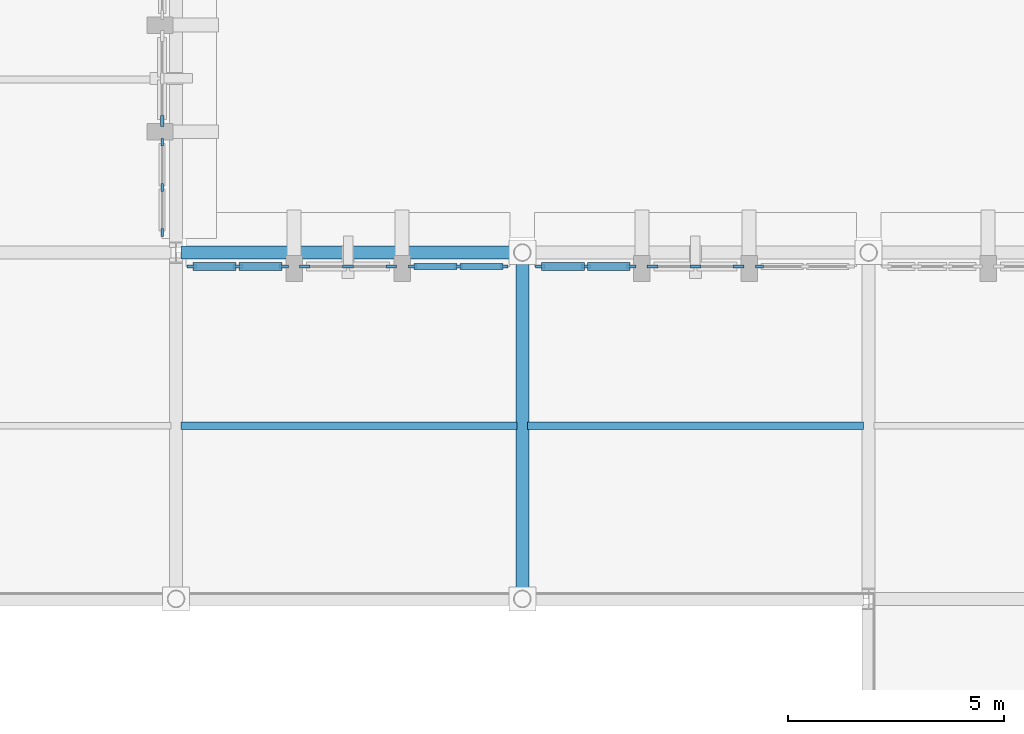
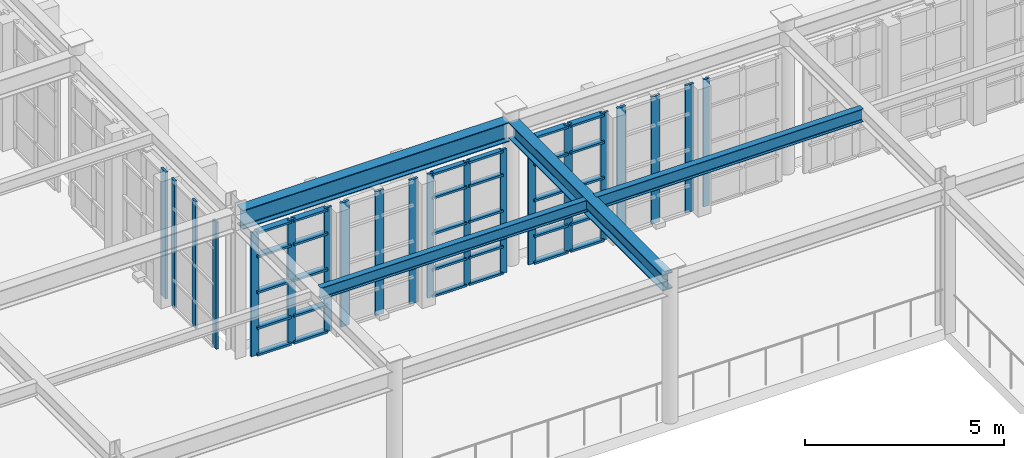
# One storey, part 44 of 155: 50 members, 4 beams, 8 elements without a shape of their own.
"""IFC4 building model written with IfcOpenShell, lengths in metres."""

from ifc_helpers import new_model, si_unit, direction, frame, origin, origin_2d, place, context, subcontext, project, spatial, rectangle, i_section, extrude, material, layer, layer_set, material_profile, profile_set, type_object, element, aggregate, save


model = new_model("IFC4")

# Units and contexts
model_context = context("Model", 3, precision=1e-05, world=origin(), true_north=direction((0.0, 1.0)))
body_context = subcontext(model_context, "Body", "Model", "MODEL_VIEW")
ifc_project = project(units=[si_unit("LENGTHUNIT", "METRE"), si_unit("AREAUNIT", "SQUARE_METRE"), si_unit("VOLUMEUNIT", "CUBIC_METRE"), si_unit("PLANEANGLEUNIT", "RADIAN"), si_unit("MASSUNIT", "GRAM", prefix="KILO")], contexts=[model_context])

# Site, building, storey
site_placement = place(None, origin())
site = spatial("IfcSite", under=ifc_project, at=site_placement, CompositionType="ELEMENT")
building_placement = place(site_placement, origin())
building = spatial("IfcBuilding", under=site, at=building_placement, Name="Tazarka Park Arena", CompositionType="ELEMENT")
storey_placement = place(building_placement, frame((0.0, 0.0, 5.39990234375)))
storey = spatial("IfcBuildingStorey", under=building, at=storey_placement, Name="L01", CompositionType="ELEMENT", Elevation=5.39990234375)

# Beams
ifc_material_1 = material(Name="Steel S355", Category="steel")
ifc_material_profile_1 = material_profile(ifc_material_1, i_section(OverallWidth=0.300048828125, OverallDepth=0.590087890625, WebThickness=0.012939453125, FlangeThickness=0.02490234375, FilletRadius=0.027099609375, at=origin_2d()), Name="Steel S355")
ifc_profile_set_1 = profile_set([ifc_material_profile_1], Name="Steel S355")
beam_type_1 = type_object("IfcBeamType", Name="BM-B-07", PredefinedType="BEAM", material=ifc_profile_set_1)
beam_1_placement = place(storey_placement, frame((160.1201171875, 104.0, 4.125), z_axis=(1.0, 0.0, 0.0), x_axis=(0.0, 1.0, 0.0)))
element("IfcBeam", 1, at=beam_1_placement, inside=storey, type_object=beam_type_1, Name="GXM-L01-20-13", PredefinedType="BEAM", context=body_context, shape_type="SweptSolid", body=[
    extrude(i_section(OverallWidth=0.300048828125, OverallDepth=0.590087890625, WebThickness=0.012939453125, FlangeThickness=0.02490234375, FilletRadius=0.027099609375, at=origin_2d()), origin(), (0.0, 0.0, 1.0), 7.759765625),
])
ifc_material_2 = material(Name="Steel S355", Category="steel")
ifc_material_profile_2 = material_profile(ifc_material_2, i_section(OverallWidth=0.300048828125, OverallDepth=0.5, WebThickness=0.014404296875, FlangeThickness=0.028076171875, FilletRadius=0.027099609375, at=origin_2d()), Name="Steel S355")
ifc_profile_set_2 = profile_set([ifc_material_profile_2], Name="Steel S355")
beam_type_2 = type_object("IfcBeamType", Name="BM-B-08", PredefinedType="BEAM", material=ifc_profile_set_2)
beam_2_placement = place(storey_placement, frame((168.0, 96.1201171875, 4.170166015625), z_axis=(0.0, 1.0, 0.0), x_axis=(-1.0, 0.0, 0.0)))
element("IfcBeam", 2, at=beam_2_placement, inside=storey, type_object=beam_type_2, Name="GYM-L01-21-12", PredefinedType="BEAM", context=body_context, shape_type="SweptSolid", body=[
    extrude(i_section(OverallWidth=0.300048828125, OverallDepth=0.5, WebThickness=0.014404296875, FlangeThickness=0.028076171875, FilletRadius=0.027099609375, at=origin_2d()), origin(), (0.0, 0.0, 1.0), 7.759765625),
])
ifc_material_3 = material(Name="Steel S355", Category="steel")
ifc_material_profile_3 = material_profile(ifc_material_3, i_section(OverallWidth=0.169921875, OverallDepth=0.360107421875, WebThickness=0.008056640625, FlangeThickness=0.0126953125, FilletRadius=0.01806640625, at=origin_2d()), Name="Steel S355")
ifc_profile_set_3 = profile_set([ifc_material_profile_3], Name="Steel S355")
beam_type_3 = type_object("IfcBeamType", Name="BM-J-02", PredefinedType="JOIST", material=ifc_profile_set_3)
beam_3_placement = place(storey_placement, frame((160.1201171875, 100.0, 4.239990234375), z_axis=(1.0, 0.0, 0.0), x_axis=(0.0, 1.0, 0.0)))
element("IfcBeam", 3, at=beam_3_placement, inside=storey, type_object=beam_type_3, Name="JST-L01-20-12", PredefinedType="JOIST", context=body_context, shape_type="SweptSolid", body=[
    extrude(i_section(OverallWidth=0.169921875, OverallDepth=0.360107421875, WebThickness=0.008056640625, FlangeThickness=0.0126953125, FilletRadius=0.01806640625, at=origin_2d()), origin(), (0.0, 0.0, 1.0), 7.759765625),
])
ifc_material_4 = material(Name="Steel S355", Category="steel")
ifc_material_profile_4 = material_profile(ifc_material_4, i_section(OverallWidth=0.179931640625, OverallDepth=0.39990234375, WebThickness=0.008544921875, FlangeThickness=0.013427734375, FilletRadius=0.02099609375, at=origin_2d()), Name="Steel S355")
ifc_profile_set_4 = profile_set([ifc_material_profile_4], Name="Steel S355")
beam_type_4 = type_object("IfcBeamType", Name="BM-J-03", PredefinedType="JOIST", material=ifc_profile_set_4)
beam_4_placement = place(storey_placement, frame((168.1201171875, 100.0, 4.22021484375), z_axis=(1.0, 0.0, 0.0), x_axis=(0.0, 1.0, 0.0)))
element("IfcBeam", 4, at=beam_4_placement, inside=storey, type_object=beam_type_4, Name="JST-L01-21-12", PredefinedType="JOIST", context=body_context, shape_type="SweptSolid", body=[
    extrude(i_section(OverallWidth=0.179931640625, OverallDepth=0.39990234375, WebThickness=0.008544921875, FlangeThickness=0.013427734375, FilletRadius=0.02099609375, at=origin_2d()), origin(), (0.0, 0.0, 1.0), 7.759765625),
])

# Curtain wall, member
ifc_material_5 = material(Name="Aluminium and low-e glass", Category="aluminium")
ifc_layer_1 = layer(ifc_material_5, 0.179931640625, Name="Aluminium and low-e glass")
ifc_layer_set_1 = layer_set([ifc_layer_1], Name="Aluminium and low-e glass")
curtain_wall_type_1 = type_object("IfcCurtainWallType", Name="CW-15", PredefinedType="NOTDEFINED", material=ifc_layer_set_1)
curtain_wall_1_placement = place(storey_placement, origin())
curtain_wall_1 = element("IfcCurtainWall", 5, at=curtain_wall_1_placement, inside=storey, type_object=curtain_wall_type_1, Name="Curtain Wall CWA-L01-195", PredefinedType="NOTDEFINED")
ifc_material_6 = material(Name="Aluminium 6060-T66", Category="aluminium")
ifc_material_profile_5 = material_profile(ifc_material_6, rectangle(XDim=0.06494140625, YDim=0.179931640625, at=origin_2d()), Name="Aluminium 6060-T66")
ifc_profile_set_5 = profile_set([ifc_material_profile_5], Name="Aluminium 6060-T66")
member_type_1 = type_object("IfcMemberType", Name="CWM-01", PredefinedType="MULLION", material=ifc_profile_set_5)
member_1_placement = place(storey_placement, frame((173.4814453125, 103.679931640625, 0.0), z_axis=(0.0, 0.0, 1.0), x_axis=(0.0, 1.0, 0.0)))
member_1 = element("IfcMember", 6, at=member_1_placement, type_object=member_type_1, Name="CW-15 mullion 1", PredefinedType="MULLION", context=body_context, shape_type="SweptSolid", body=[
    extrude(rectangle(XDim=0.06494140625, YDim=0.179931640625, at=origin_2d()), origin(), (0.0, 0.0, 1.0), 3.91015625),
])
aggregate(curtain_wall_1, [member_1])

# Curtain wall, members
ifc_material_7 = material(Name="Aluminium and low-e glass", Category="aluminium")
ifc_layer_2 = layer(ifc_material_7, 0.179931640625, Name="Aluminium and low-e glass")
ifc_layer_set_2 = layer_set([ifc_layer_2], Name="Aluminium and low-e glass")
curtain_wall_type_2 = type_object("IfcCurtainWallType", Name="CW-18", PredefinedType="NOTDEFINED", material=ifc_layer_set_2)
curtain_wall_2_placement = place(storey_placement, origin())
curtain_wall_2 = element("IfcCurtainWall", 7, at=curtain_wall_2_placement, inside=storey, type_object=curtain_wall_type_2, Name="Curtain Wall CWA-L01-198", PredefinedType="NOTDEFINED")
member_2_placement = place(storey_placement, frame((165.463623046875, 103.679931640625, 0.0), z_axis=(0.0, 0.0, 1.0), x_axis=(0.0, 1.0, 0.0)))
member_2 = element("IfcMember", 8, at=member_2_placement, type_object=member_type_1, Name="CW-18 mullion 1", PredefinedType="MULLION", context=body_context, shape_type="SweptSolid", body=[
    extrude(rectangle(XDim=0.06494140625, YDim=0.179931640625, at=origin_2d()), origin(), (0.0, 0.0, 1.0), 3.81005859375),
])
member_3_placement = place(storey_placement, frame((166.52392578125, 103.679931640625, 0.0), z_axis=(0.0, 0.0, 1.0), x_axis=(0.0, 1.0, 0.0)))
member_3 = element("IfcMember", 9, at=member_3_placement, type_object=member_type_1, Name="CW-18 mullion 2", PredefinedType="MULLION", context=body_context, shape_type="SweptSolid", body=[
    extrude(rectangle(XDim=0.06494140625, YDim=0.179931640625, at=origin_2d()), origin(), (0.0, 0.0, 1.0), 3.81005859375),
])
member_4_placement = place(storey_placement, frame((167.584228515625, 103.679931640625, 0.0), z_axis=(0.0, 0.0, 1.0), x_axis=(0.0, 1.0, 0.0)))
member_4 = element("IfcMember", 10, at=member_4_placement, type_object=member_type_1, Name="CW-18 mullion 3", PredefinedType="MULLION", context=body_context, shape_type="SweptSolid", body=[
    extrude(rectangle(XDim=0.06494140625, YDim=0.179931640625, at=origin_2d()), origin(), (0.0, 0.0, 1.0), 3.81005859375),
])

ifc_material_8 = material(Name="Aluminium and low-e glass", Category="aluminium")
ifc_layer_3 = layer(ifc_material_8, 0.179931640625, Name="Aluminium and low-e glass")
ifc_layer_set_3 = layer_set([ifc_layer_3], Name="Aluminium and low-e glass")
curtain_wall_type_3 = type_object("IfcCurtainWallType", Name="CW-21", PredefinedType="NOTDEFINED", material=ifc_layer_set_3)
curtain_wall_3_placement = place(storey_placement, origin())
curtain_wall_3 = element("IfcCurtainWall", 11, at=curtain_wall_3_placement, inside=storey, type_object=curtain_wall_type_3, Name="Curtain Wall CWA-L01-201", PredefinedType="NOTDEFINED")
member_5_placement = place(storey_placement, frame((159.679931640625, 106.5498046875, 0.0), z_axis=(0.0, 0.0, 1.0), x_axis=(1.0, 0.0, 0.0)))
member_5 = element("IfcMember", 12, at=member_5_placement, type_object=member_type_1, Name="CW-21 mullion 1", PredefinedType="MULLION", context=body_context, shape_type="SweptSolid", body=[
    extrude(rectangle(XDim=0.06494140625, YDim=0.179931640625, at=origin_2d()), origin(), (0.0, 0.0, 1.0), 3.900146484375),
])
member_6_placement = place(storey_placement, frame((159.679931640625, 105.506103515625, 0.0), z_axis=(0.0, 0.0, 1.0), x_axis=(1.0, 0.0, 0.0)))
member_6 = element("IfcMember", 13, at=member_6_placement, type_object=member_type_1, Name="CW-21 mullion 2", PredefinedType="MULLION", context=body_context, shape_type="SweptSolid", body=[
    extrude(rectangle(XDim=0.06494140625, YDim=0.179931640625, at=origin_2d()), origin(), (0.0, 0.0, 1.0), 3.900146484375),
])
member_7_placement = place(storey_placement, frame((159.679931640625, 104.46240234375, 0.0), z_axis=(0.0, 0.0, 1.0), x_axis=(1.0, 0.0, 0.0)))
member_7 = element("IfcMember", 14, at=member_7_placement, type_object=member_type_1, Name="CW-21 mullion 3", PredefinedType="MULLION", context=body_context, shape_type="SweptSolid", body=[
    extrude(rectangle(XDim=0.06494140625, YDim=0.179931640625, at=origin_2d()), origin(), (0.0, 0.0, 1.0), 3.900146484375),
])
aggregate(curtain_wall_3, [member_5, member_6, member_7])

ifc_material_9 = material(Name="Aluminium and low-e glass", Category="aluminium")
ifc_layer_4 = layer(ifc_material_9, 0.179931640625, Name="Aluminium and low-e glass")
ifc_layer_set_4 = layer_set([ifc_layer_4], Name="Aluminium and low-e glass")
curtain_wall_type_4 = type_object("IfcCurtainWallType", Name="CW-13", PredefinedType="NOTDEFINED", material=ifc_layer_set_4)
curtain_wall_4_placement = place(storey_placement, origin())
curtain_wall_4 = element("IfcCurtainWall", 15, at=curtain_wall_4_placement, inside=storey, type_object=curtain_wall_type_4, Name="Curtain Wall CWA-L01-193", PredefinedType="NOTDEFINED")
ifc_material_10 = material(Name="Aluminium 6060-T66", Category="aluminium")
ifc_material_profile_6 = material_profile(ifc_material_10, rectangle(XDim=0.06494140625, YDim=0.219970703125, at=origin_2d()), Name="Aluminium 6060-T66")
ifc_profile_set_6 = profile_set([ifc_material_profile_6], Name="Aluminium 6060-T66")
member_type_2 = type_object("IfcMemberType", Name="CWM-02", PredefinedType="MULLION", material=ifc_profile_set_6)
member_8_placement = place(storey_placement, frame((168.415771484375, 103.679931640625, 0.0), z_axis=(0.0, 0.0, 1.0), x_axis=(0.0, 1.0, 0.0)))
member_8 = element("IfcMember", 16, at=member_8_placement, type_object=member_type_2, Name="CW-13 mullion 1", PredefinedType="MULLION", context=body_context, shape_type="SweptSolid", body=[
    extrude(rectangle(XDim=0.06494140625, YDim=0.219970703125, at=origin_2d()), origin(), (0.0, 0.0, 1.0), 3.91015625),
])
member_9_placement = place(storey_placement, frame((169.467041015625, 103.679931640625, 0.0), z_axis=(0.0, 0.0, 1.0), x_axis=(0.0, 1.0, 0.0)))
member_9 = element("IfcMember", 17, at=member_9_placement, type_object=member_type_2, Name="CW-13 mullion 2", PredefinedType="MULLION", context=body_context, shape_type="SweptSolid", body=[
    extrude(rectangle(XDim=0.06494140625, YDim=0.219970703125, at=origin_2d()), origin(), (0.0, 0.0, 1.0), 3.91015625),
])
member_10_placement = place(storey_placement, frame((170.5185546875, 103.679931640625, 0.0), z_axis=(0.0, 0.0, 1.0), x_axis=(0.0, 1.0, 0.0)))
member_10 = element("IfcMember", 18, at=member_10_placement, type_object=member_type_2, Name="CW-13 mullion 3", PredefinedType="MULLION", context=body_context, shape_type="SweptSolid", body=[
    extrude(rectangle(XDim=0.06494140625, YDim=0.219970703125, at=origin_2d()), origin(), (0.0, 0.0, 1.0), 3.91015625),
])

ifc_material_11 = material(Name="Aluminium and low-e glass", Category="aluminium")
ifc_layer_5 = layer(ifc_material_11, 0.179931640625, Name="Aluminium and low-e glass")
ifc_layer_set_5 = layer_set([ifc_layer_5], Name="Aluminium and low-e glass")
curtain_wall_type_5 = type_object("IfcCurtainWallType", Name="CW-16", PredefinedType="NOTDEFINED", material=ifc_layer_set_5)
curtain_wall_5_placement = place(storey_placement, origin())
curtain_wall_5 = element("IfcCurtainWall", 19, at=curtain_wall_5_placement, inside=storey, type_object=curtain_wall_type_5, Name="Curtain Wall CWA-L01-196", PredefinedType="NOTDEFINED")
member_11_placement = place(storey_placement, frame((160.362548828125, 103.679931640625, 0.0), z_axis=(0.0, 0.0, 1.0), x_axis=(0.0, 1.0, 0.0)))
member_11 = element("IfcMember", 20, at=member_11_placement, type_object=member_type_2, Name="CW-16 mullion 1", PredefinedType="MULLION", context=body_context, shape_type="SweptSolid", body=[
    extrude(rectangle(XDim=0.06494140625, YDim=0.219970703125, at=origin_2d()), origin(), (0.0, 0.0, 1.0), 3.81005859375),
])
member_12_placement = place(storey_placement, frame((161.4228515625, 103.679931640625, 0.0), z_axis=(0.0, 0.0, 1.0), x_axis=(0.0, 1.0, 0.0)))
member_12 = element("IfcMember", 21, at=member_12_placement, type_object=member_type_2, Name="CW-16 mullion 2", PredefinedType="MULLION", context=body_context, shape_type="SweptSolid", body=[
    extrude(rectangle(XDim=0.06494140625, YDim=0.219970703125, at=origin_2d()), origin(), (0.0, 0.0, 1.0), 3.81005859375),
])
member_13_placement = place(storey_placement, frame((162.483154296875, 103.679931640625, 0.0), z_axis=(0.0, 0.0, 1.0), x_axis=(0.0, 1.0, 0.0)))
member_13 = element("IfcMember", 22, at=member_13_placement, type_object=member_type_2, Name="CW-16 mullion 3", PredefinedType="MULLION", context=body_context, shape_type="SweptSolid", body=[
    extrude(rectangle(XDim=0.06494140625, YDim=0.219970703125, at=origin_2d()), origin(), (0.0, 0.0, 1.0), 3.81005859375),
])

ifc_material_12 = material(Name="Aluminium and low-e glass", Category="aluminium")
ifc_layer_6 = layer(ifc_material_12, 0.179931640625, Name="Aluminium and low-e glass")
ifc_layer_set_6 = layer_set([ifc_layer_6], Name="Aluminium and low-e glass")
curtain_wall_type_6 = type_object("IfcCurtainWallType", Name="CW-14", PredefinedType="NOTDEFINED", material=ifc_layer_set_6)
curtain_wall_6_placement = place(storey_placement, origin())
curtain_wall_6 = element("IfcCurtainWall", 23, at=curtain_wall_6_placement, inside=storey, type_object=curtain_wall_type_6, Name="Curtain Wall CWA-L01-194", PredefinedType="NOTDEFINED")
ifc_material_13 = material(Name="Aluminium 6060-T66", Category="aluminium")
ifc_material_profile_7 = material_profile(ifc_material_13, rectangle(XDim=0.074951171875, YDim=0.25, at=origin_2d()), Name="Aluminium 6060-T66")
ifc_profile_set_7 = profile_set([ifc_material_profile_7], Name="Aluminium 6060-T66")
member_type_3 = type_object("IfcMemberType", Name="CWM-03", PredefinedType="MULLION", material=ifc_profile_set_7)
member_14_placement = place(storey_placement, frame((171.008544921875, 103.679931640625, 0.0), z_axis=(0.0, 0.0, 1.0), x_axis=(0.0, 1.0, 0.0)))
member_14 = element("IfcMember", 24, at=member_14_placement, type_object=member_type_3, Name="CW-14 mullion 1", PredefinedType="MULLION", context=body_context, shape_type="SweptSolid", body=[
    extrude(rectangle(XDim=0.074951171875, YDim=0.25, at=origin_2d()), origin(), (0.0, 0.0, 1.0), 3.91015625),
])
member_15_placement = place(storey_placement, frame((172.0, 103.679931640625, 0.0), z_axis=(0.0, 0.0, 1.0), x_axis=(0.0, 1.0, 0.0)))
member_15 = element("IfcMember", 25, at=member_15_placement, type_object=member_type_3, Name="CW-14 mullion 2", PredefinedType="MULLION", context=body_context, shape_type="SweptSolid", body=[
    extrude(rectangle(XDim=0.074951171875, YDim=0.25, at=origin_2d()), origin(), (0.0, 0.0, 1.0), 3.91015625),
])
member_16_placement = place(storey_placement, frame((172.991455078125, 103.679931640625, 0.0), z_axis=(0.0, 0.0, 1.0), x_axis=(0.0, 1.0, 0.0)))
member_16 = element("IfcMember", 26, at=member_16_placement, type_object=member_type_3, Name="CW-14 mullion 3", PredefinedType="MULLION", context=body_context, shape_type="SweptSolid", body=[
    extrude(rectangle(XDim=0.074951171875, YDim=0.25, at=origin_2d()), origin(), (0.0, 0.0, 1.0), 3.91015625),
])
aggregate(curtain_wall_6, [member_14, member_15, member_16])

ifc_material_14 = material(Name="Aluminium and low-e glass", Category="aluminium")
ifc_layer_7 = layer(ifc_material_14, 0.179931640625, Name="Aluminium and low-e glass")
ifc_layer_set_7 = layer_set([ifc_layer_7], Name="Aluminium and low-e glass")
curtain_wall_type_7 = type_object("IfcCurtainWallType", Name="CW-17", PredefinedType="NOTDEFINED", material=ifc_layer_set_7)
curtain_wall_7_placement = place(storey_placement, origin())
curtain_wall_7 = element("IfcCurtainWall", 27, at=curtain_wall_7_placement, inside=storey, type_object=curtain_wall_type_7, Name="Curtain Wall CWA-L01-197", PredefinedType="NOTDEFINED")
member_17_placement = place(storey_placement, frame((162.97314453125, 103.679931640625, 0.0), z_axis=(0.0, 0.0, 1.0), x_axis=(0.0, 1.0, 0.0)))
member_17 = element("IfcMember", 28, at=member_17_placement, type_object=member_type_3, Name="CW-17 mullion 1", PredefinedType="MULLION", context=body_context, shape_type="SweptSolid", body=[
    extrude(rectangle(XDim=0.074951171875, YDim=0.25, at=origin_2d()), origin(), (0.0, 0.0, 1.0), 3.81005859375),
])
member_18_placement = place(storey_placement, frame((163.973388671875, 103.679931640625, 0.0), z_axis=(0.0, 0.0, 1.0), x_axis=(0.0, 1.0, 0.0)))
member_18 = element("IfcMember", 29, at=member_18_placement, type_object=member_type_3, Name="CW-17 mullion 2", PredefinedType="MULLION", context=body_context, shape_type="SweptSolid", body=[
    extrude(rectangle(XDim=0.074951171875, YDim=0.25, at=origin_2d()), origin(), (0.0, 0.0, 1.0), 3.81005859375),
])
member_19_placement = place(storey_placement, frame((164.9736328125, 103.679931640625, 0.0), z_axis=(0.0, 0.0, 1.0), x_axis=(0.0, 1.0, 0.0)))
member_19 = element("IfcMember", 30, at=member_19_placement, type_object=member_type_3, Name="CW-17 mullion 3", PredefinedType="MULLION", context=body_context, shape_type="SweptSolid", body=[
    extrude(rectangle(XDim=0.074951171875, YDim=0.25, at=origin_2d()), origin(), (0.0, 0.0, 1.0), 3.81005859375),
])
aggregate(curtain_wall_7, [member_17, member_18, member_19])

# Curtain wall, member
ifc_material_15 = material(Name="Aluminium and low-e glass", Category="aluminium")
ifc_layer_8 = layer(ifc_material_15, 0.179931640625, Name="Aluminium and low-e glass")
ifc_layer_set_8 = layer_set([ifc_layer_8], Name="Aluminium and low-e glass")
curtain_wall_type_8 = type_object("IfcCurtainWallType", Name="CW-20", PredefinedType="NOTDEFINED", material=ifc_layer_set_8)
curtain_wall_8_placement = place(storey_placement, origin())
curtain_wall_8 = element("IfcCurtainWall", 31, at=curtain_wall_8_placement, inside=storey, type_object=curtain_wall_type_8, Name="Curtain Wall CWA-L01-200", PredefinedType="NOTDEFINED")
member_20_placement = place(storey_placement, frame((159.679931640625, 107.039794921875, 0.0), z_axis=(0.0, 0.0, 1.0), x_axis=(1.0, 0.0, 0.0)))
member_20 = element("IfcMember", 32, at=member_20_placement, type_object=member_type_3, Name="CW-20 mullion 3", PredefinedType="MULLION", context=body_context, shape_type="SweptSolid", body=[
    extrude(rectangle(XDim=0.074951171875, YDim=0.25, at=origin_2d()), origin(), (0.0, 0.0, 1.0), 3.900146484375),
])
aggregate(curtain_wall_8, [member_20])

# Member
ifc_material_16 = material(Name="Aluminium 6060-T66", Category="aluminium")
ifc_material_profile_8 = material_profile(ifc_material_16, rectangle(XDim=0.139892578125, YDim=0.06494140625, at=origin_2d()), Name="Aluminium 6060-T66")
ifc_profile_set_8 = profile_set([ifc_material_profile_8], Name="Aluminium 6060-T66")
member_type_4 = type_object("IfcMemberType", Name="CWT-01", PredefinedType="USERDEFINED", material=ifc_profile_set_8)
member_21_placement = place(storey_placement, frame((165.49609375, 103.679931640625, 0.03271484375), z_axis=(1.0, 0.0, 0.0), x_axis=(0.0, 1.0, 0.0)))
member_21 = element("IfcMember", 33, at=member_21_placement, type_object=member_type_4, Name="CW-18 transom 1.1", ObjectType="TRANSOM", PredefinedType="USERDEFINED", context=body_context, shape_type="SweptSolid", body=[
    extrude(rectangle(XDim=0.139892578125, YDim=0.06494140625, at=origin_2d()), origin(), (0.0, 0.0, 1.0), 0.995361328125),
])

member_22_placement = place(storey_placement, frame((165.49609375, 103.679931640625, 0.85009765625), z_axis=(1.0, 0.0, 0.0), x_axis=(0.0, 1.0, 0.0)))
member_22 = element("IfcMember", 34, at=member_22_placement, type_object=member_type_4, Name="CW-18 transom 1.2", ObjectType="TRANSOM", PredefinedType="USERDEFINED", context=body_context, shape_type="SweptSolid", body=[
    extrude(rectangle(XDim=0.139892578125, YDim=0.06494140625, at=origin_2d()), origin(), (0.0, 0.0, 1.0), 0.995361328125),
])

member_23_placement = place(storey_placement, frame((165.49609375, 103.679931640625, 1.9501953125), z_axis=(1.0, 0.0, 0.0), x_axis=(0.0, 1.0, 0.0)))
member_23 = element("IfcMember", 35, at=member_23_placement, type_object=member_type_4, Name="CW-18 transom 1.3", ObjectType="TRANSOM", PredefinedType="USERDEFINED", context=body_context, shape_type="SweptSolid", body=[
    extrude(rectangle(XDim=0.139892578125, YDim=0.06494140625, at=origin_2d()), origin(), (0.0, 0.0, 1.0), 0.995361328125),
])

member_24_placement = place(storey_placement, frame((165.49609375, 103.679931640625, 3.050048828125), z_axis=(1.0, 0.0, 0.0), x_axis=(0.0, 1.0, 0.0)))
member_24 = element("IfcMember", 36, at=member_24_placement, type_object=member_type_4, Name="CW-18 transom 1.4", ObjectType="TRANSOM", PredefinedType="USERDEFINED", context=body_context, shape_type="SweptSolid", body=[
    extrude(rectangle(XDim=0.139892578125, YDim=0.06494140625, at=origin_2d()), origin(), (0.0, 0.0, 1.0), 0.995361328125),
])

member_25_placement = place(storey_placement, frame((165.49609375, 103.679931640625, 3.777587890625), z_axis=(1.0, 0.0, 0.0), x_axis=(0.0, 1.0, 0.0)))
member_25 = element("IfcMember", 37, at=member_25_placement, type_object=member_type_4, Name="CW-18 transom 1.5", ObjectType="TRANSOM", PredefinedType="USERDEFINED", context=body_context, shape_type="SweptSolid", body=[
    extrude(rectangle(XDim=0.139892578125, YDim=0.06494140625, at=origin_2d()), origin(), (0.0, 0.0, 1.0), 0.995361328125),
])

member_26_placement = place(storey_placement, frame((166.556396484375, 103.679931640625, 0.03271484375), z_axis=(1.0, 0.0, 0.0), x_axis=(0.0, 1.0, 0.0)))
member_26 = element("IfcMember", 38, at=member_26_placement, type_object=member_type_4, Name="CW-18 transom 2.1", ObjectType="TRANSOM", PredefinedType="USERDEFINED", context=body_context, shape_type="SweptSolid", body=[
    extrude(rectangle(XDim=0.139892578125, YDim=0.06494140625, at=origin_2d()), origin(), (0.0, 0.0, 1.0), 0.995361328125),
])

member_27_placement = place(storey_placement, frame((166.556396484375, 103.679931640625, 0.85009765625), z_axis=(1.0, 0.0, 0.0), x_axis=(0.0, 1.0, 0.0)))
member_27 = element("IfcMember", 39, at=member_27_placement, type_object=member_type_4, Name="CW-18 transom 2.2", ObjectType="TRANSOM", PredefinedType="USERDEFINED", context=body_context, shape_type="SweptSolid", body=[
    extrude(rectangle(XDim=0.139892578125, YDim=0.06494140625, at=origin_2d()), origin(), (0.0, 0.0, 1.0), 0.995361328125),
])

member_28_placement = place(storey_placement, frame((166.556396484375, 103.679931640625, 1.9501953125), z_axis=(1.0, 0.0, 0.0), x_axis=(0.0, 1.0, 0.0)))
member_28 = element("IfcMember", 40, at=member_28_placement, type_object=member_type_4, Name="CW-18 transom 2.3", ObjectType="TRANSOM", PredefinedType="USERDEFINED", context=body_context, shape_type="SweptSolid", body=[
    extrude(rectangle(XDim=0.139892578125, YDim=0.06494140625, at=origin_2d()), origin(), (0.0, 0.0, 1.0), 0.995361328125),
])

member_29_placement = place(storey_placement, frame((166.556396484375, 103.679931640625, 3.050048828125), z_axis=(1.0, 0.0, 0.0), x_axis=(0.0, 1.0, 0.0)))
member_29 = element("IfcMember", 41, at=member_29_placement, type_object=member_type_4, Name="CW-18 transom 2.4", ObjectType="TRANSOM", PredefinedType="USERDEFINED", context=body_context, shape_type="SweptSolid", body=[
    extrude(rectangle(XDim=0.139892578125, YDim=0.06494140625, at=origin_2d()), origin(), (0.0, 0.0, 1.0), 0.995361328125),
])

member_30_placement = place(storey_placement, frame((166.556396484375, 103.679931640625, 3.777587890625), z_axis=(1.0, 0.0, 0.0), x_axis=(0.0, 1.0, 0.0)))
member_30 = element("IfcMember", 42, at=member_30_placement, type_object=member_type_4, Name="CW-18 transom 2.5", ObjectType="TRANSOM", PredefinedType="USERDEFINED", context=body_context, shape_type="SweptSolid", body=[
    extrude(rectangle(XDim=0.139892578125, YDim=0.06494140625, at=origin_2d()), origin(), (0.0, 0.0, 1.0), 0.995361328125),
])

aggregate(curtain_wall_2, [member_2, member_3, member_4, member_21, member_22, member_23, member_24, member_25, member_26, member_27, member_28, member_29, member_30])

ifc_material_17 = material(Name="Aluminium 6060-T66", Category="aluminium")
ifc_material_profile_9 = material_profile(ifc_material_17, rectangle(XDim=0.179931640625, YDim=0.06494140625, at=origin_2d()), Name="Aluminium 6060-T66")
ifc_profile_set_9 = profile_set([ifc_material_profile_9], Name="Aluminium 6060-T66")
member_type_5 = type_object("IfcMemberType", Name="CWT-02", PredefinedType="USERDEFINED", material=ifc_profile_set_9)
member_31_placement = place(storey_placement, frame((168.4482421875, 103.679931640625, 0.03271484375), z_axis=(1.0, 0.0, 0.0), x_axis=(0.0, 1.0, 0.0)))
member_31 = element("IfcMember", 43, at=member_31_placement, type_object=member_type_5, Name="CW-13 transom 1.1", ObjectType="TRANSOM", PredefinedType="USERDEFINED", context=body_context, shape_type="SweptSolid", body=[
    extrude(rectangle(XDim=0.179931640625, YDim=0.06494140625, at=origin_2d()), origin(), (0.0, 0.0, 1.0), 0.986328125),
])

member_32_placement = place(storey_placement, frame((168.4482421875, 103.679931640625, 0.85009765625), z_axis=(1.0, 0.0, 0.0), x_axis=(0.0, 1.0, 0.0)))
member_32 = element("IfcMember", 44, at=member_32_placement, type_object=member_type_5, Name="CW-13 transom 1.2", ObjectType="TRANSOM", PredefinedType="USERDEFINED", context=body_context, shape_type="SweptSolid", body=[
    extrude(rectangle(XDim=0.179931640625, YDim=0.06494140625, at=origin_2d()), origin(), (0.0, 0.0, 1.0), 0.986328125),
])

member_33_placement = place(storey_placement, frame((168.4482421875, 103.679931640625, 1.9501953125), z_axis=(1.0, 0.0, 0.0), x_axis=(0.0, 1.0, 0.0)))
member_33 = element("IfcMember", 45, at=member_33_placement, type_object=member_type_5, Name="CW-13 transom 1.3", ObjectType="TRANSOM", PredefinedType="USERDEFINED", context=body_context, shape_type="SweptSolid", body=[
    extrude(rectangle(XDim=0.179931640625, YDim=0.06494140625, at=origin_2d()), origin(), (0.0, 0.0, 1.0), 0.986328125),
])

member_34_placement = place(storey_placement, frame((168.4482421875, 103.679931640625, 3.050048828125), z_axis=(1.0, 0.0, 0.0), x_axis=(0.0, 1.0, 0.0)))
member_34 = element("IfcMember", 46, at=member_34_placement, type_object=member_type_5, Name="CW-13 transom 1.4", ObjectType="TRANSOM", PredefinedType="USERDEFINED", context=body_context, shape_type="SweptSolid", body=[
    extrude(rectangle(XDim=0.179931640625, YDim=0.06494140625, at=origin_2d()), origin(), (0.0, 0.0, 1.0), 0.986328125),
])

member_35_placement = place(storey_placement, frame((168.4482421875, 103.679931640625, 3.877685546875), z_axis=(1.0, 0.0, 0.0), x_axis=(0.0, 1.0, 0.0)))
member_35 = element("IfcMember", 47, at=member_35_placement, type_object=member_type_5, Name="CW-13 transom 1.5", ObjectType="TRANSOM", PredefinedType="USERDEFINED", context=body_context, shape_type="SweptSolid", body=[
    extrude(rectangle(XDim=0.179931640625, YDim=0.06494140625, at=origin_2d()), origin(), (0.0, 0.0, 1.0), 0.986328125),
])

member_36_placement = place(storey_placement, frame((169.499755859375, 103.679931640625, 0.03271484375), z_axis=(1.0, 0.0, 0.0), x_axis=(0.0, 1.0, 0.0)))
member_36 = element("IfcMember", 48, at=member_36_placement, type_object=member_type_5, Name="CW-13 transom 2.1", ObjectType="TRANSOM", PredefinedType="USERDEFINED", context=body_context, shape_type="SweptSolid", body=[
    extrude(rectangle(XDim=0.179931640625, YDim=0.06494140625, at=origin_2d()), origin(), (0.0, 0.0, 1.0), 0.986328125),
])

member_37_placement = place(storey_placement, frame((169.499755859375, 103.679931640625, 0.85009765625), z_axis=(1.0, 0.0, 0.0), x_axis=(0.0, 1.0, 0.0)))
member_37 = element("IfcMember", 49, at=member_37_placement, type_object=member_type_5, Name="CW-13 transom 2.2", ObjectType="TRANSOM", PredefinedType="USERDEFINED", context=body_context, shape_type="SweptSolid", body=[
    extrude(rectangle(XDim=0.179931640625, YDim=0.06494140625, at=origin_2d()), origin(), (0.0, 0.0, 1.0), 0.986328125),
])

member_38_placement = place(storey_placement, frame((169.499755859375, 103.679931640625, 1.9501953125), z_axis=(1.0, 0.0, 0.0), x_axis=(0.0, 1.0, 0.0)))
member_38 = element("IfcMember", 50, at=member_38_placement, type_object=member_type_5, Name="CW-13 transom 2.3", ObjectType="TRANSOM", PredefinedType="USERDEFINED", context=body_context, shape_type="SweptSolid", body=[
    extrude(rectangle(XDim=0.179931640625, YDim=0.06494140625, at=origin_2d()), origin(), (0.0, 0.0, 1.0), 0.986328125),
])

member_39_placement = place(storey_placement, frame((169.499755859375, 103.679931640625, 3.050048828125), z_axis=(1.0, 0.0, 0.0), x_axis=(0.0, 1.0, 0.0)))
member_39 = element("IfcMember", 51, at=member_39_placement, type_object=member_type_5, Name="CW-13 transom 2.4", ObjectType="TRANSOM", PredefinedType="USERDEFINED", context=body_context, shape_type="SweptSolid", body=[
    extrude(rectangle(XDim=0.179931640625, YDim=0.06494140625, at=origin_2d()), origin(), (0.0, 0.0, 1.0), 0.986328125),
])

member_40_placement = place(storey_placement, frame((169.499755859375, 103.679931640625, 3.877685546875), z_axis=(1.0, 0.0, 0.0), x_axis=(0.0, 1.0, 0.0)))
member_40 = element("IfcMember", 52, at=member_40_placement, type_object=member_type_5, Name="CW-13 transom 2.5", ObjectType="TRANSOM", PredefinedType="USERDEFINED", context=body_context, shape_type="SweptSolid", body=[
    extrude(rectangle(XDim=0.179931640625, YDim=0.06494140625, at=origin_2d()), origin(), (0.0, 0.0, 1.0), 0.986328125),
])

aggregate(curtain_wall_4, [member_8, member_9, member_10, member_31, member_32, member_33, member_34, member_35, member_36, member_37, member_38, member_39, member_40])

member_41_placement = place(storey_placement, frame((160.39501953125, 103.679931640625, 0.03271484375), z_axis=(1.0, 0.0, 0.0), x_axis=(0.0, 1.0, 0.0)))
member_41 = element("IfcMember", 53, at=member_41_placement, type_object=member_type_5, Name="CW-16 transom 1.1", ObjectType="TRANSOM", PredefinedType="USERDEFINED", context=body_context, shape_type="SweptSolid", body=[
    extrude(rectangle(XDim=0.179931640625, YDim=0.06494140625, at=origin_2d()), origin(), (0.0, 0.0, 1.0), 0.995361328125),
])

member_42_placement = place(storey_placement, frame((160.39501953125, 103.679931640625, 0.85009765625), z_axis=(1.0, 0.0, 0.0), x_axis=(0.0, 1.0, 0.0)))
member_42 = element("IfcMember", 54, at=member_42_placement, type_object=member_type_5, Name="CW-16 transom 1.2", ObjectType="TRANSOM", PredefinedType="USERDEFINED", context=body_context, shape_type="SweptSolid", body=[
    extrude(rectangle(XDim=0.179931640625, YDim=0.06494140625, at=origin_2d()), origin(), (0.0, 0.0, 1.0), 0.995361328125),
])

member_43_placement = place(storey_placement, frame((160.39501953125, 103.679931640625, 1.9501953125), z_axis=(1.0, 0.0, 0.0), x_axis=(0.0, 1.0, 0.0)))
member_43 = element("IfcMember", 55, at=member_43_placement, type_object=member_type_5, Name="CW-16 transom 1.3", ObjectType="TRANSOM", PredefinedType="USERDEFINED", context=body_context, shape_type="SweptSolid", body=[
    extrude(rectangle(XDim=0.179931640625, YDim=0.06494140625, at=origin_2d()), origin(), (0.0, 0.0, 1.0), 0.995361328125),
])

member_44_placement = place(storey_placement, frame((160.39501953125, 103.679931640625, 3.050048828125), z_axis=(1.0, 0.0, 0.0), x_axis=(0.0, 1.0, 0.0)))
member_44 = element("IfcMember", 56, at=member_44_placement, type_object=member_type_5, Name="CW-16 transom 1.4", ObjectType="TRANSOM", PredefinedType="USERDEFINED", context=body_context, shape_type="SweptSolid", body=[
    extrude(rectangle(XDim=0.179931640625, YDim=0.06494140625, at=origin_2d()), origin(), (0.0, 0.0, 1.0), 0.995361328125),
])

member_45_placement = place(storey_placement, frame((160.39501953125, 103.679931640625, 3.777587890625), z_axis=(1.0, 0.0, 0.0), x_axis=(0.0, 1.0, 0.0)))
member_45 = element("IfcMember", 57, at=member_45_placement, type_object=member_type_5, Name="CW-16 transom 1.5", ObjectType="TRANSOM", PredefinedType="USERDEFINED", context=body_context, shape_type="SweptSolid", body=[
    extrude(rectangle(XDim=0.179931640625, YDim=0.06494140625, at=origin_2d()), origin(), (0.0, 0.0, 1.0), 0.995361328125),
])

member_46_placement = place(storey_placement, frame((161.455322265625, 103.679931640625, 0.03271484375), z_axis=(1.0, 0.0, 0.0), x_axis=(0.0, 1.0, 0.0)))
member_46 = element("IfcMember", 58, at=member_46_placement, type_object=member_type_5, Name="CW-16 transom 2.1", ObjectType="TRANSOM", PredefinedType="USERDEFINED", context=body_context, shape_type="SweptSolid", body=[
    extrude(rectangle(XDim=0.179931640625, YDim=0.06494140625, at=origin_2d()), origin(), (0.0, 0.0, 1.0), 0.995361328125),
])

member_47_placement = place(storey_placement, frame((161.455322265625, 103.679931640625, 0.85009765625), z_axis=(1.0, 0.0, 0.0), x_axis=(0.0, 1.0, 0.0)))
member_47 = element("IfcMember", 59, at=member_47_placement, type_object=member_type_5, Name="CW-16 transom 2.2", ObjectType="TRANSOM", PredefinedType="USERDEFINED", context=body_context, shape_type="SweptSolid", body=[
    extrude(rectangle(XDim=0.179931640625, YDim=0.06494140625, at=origin_2d()), origin(), (0.0, 0.0, 1.0), 0.995361328125),
])

member_48_placement = place(storey_placement, frame((161.455322265625, 103.679931640625, 1.9501953125), z_axis=(1.0, 0.0, 0.0), x_axis=(0.0, 1.0, 0.0)))
member_48 = element("IfcMember", 60, at=member_48_placement, type_object=member_type_5, Name="CW-16 transom 2.3", ObjectType="TRANSOM", PredefinedType="USERDEFINED", context=body_context, shape_type="SweptSolid", body=[
    extrude(rectangle(XDim=0.179931640625, YDim=0.06494140625, at=origin_2d()), origin(), (0.0, 0.0, 1.0), 0.995361328125),
])

member_49_placement = place(storey_placement, frame((161.455322265625, 103.679931640625, 3.050048828125), z_axis=(1.0, 0.0, 0.0), x_axis=(0.0, 1.0, 0.0)))
member_49 = element("IfcMember", 61, at=member_49_placement, type_object=member_type_5, Name="CW-16 transom 2.4", ObjectType="TRANSOM", PredefinedType="USERDEFINED", context=body_context, shape_type="SweptSolid", body=[
    extrude(rectangle(XDim=0.179931640625, YDim=0.06494140625, at=origin_2d()), origin(), (0.0, 0.0, 1.0), 0.995361328125),
])

member_50_placement = place(storey_placement, frame((161.455322265625, 103.679931640625, 3.777587890625), z_axis=(1.0, 0.0, 0.0), x_axis=(0.0, 1.0, 0.0)))
member_50 = element("IfcMember", 62, at=member_50_placement, type_object=member_type_5, Name="CW-16 transom 2.5", ObjectType="TRANSOM", PredefinedType="USERDEFINED", context=body_context, shape_type="SweptSolid", body=[
    extrude(rectangle(XDim=0.179931640625, YDim=0.06494140625, at=origin_2d()), origin(), (0.0, 0.0, 1.0), 0.995361328125),
])

aggregate(curtain_wall_5, [member_11, member_12, member_13, member_41, member_42, member_43, member_44, member_45, member_46, member_47, member_48, member_49, member_50])

save(model, "model.ifc")
